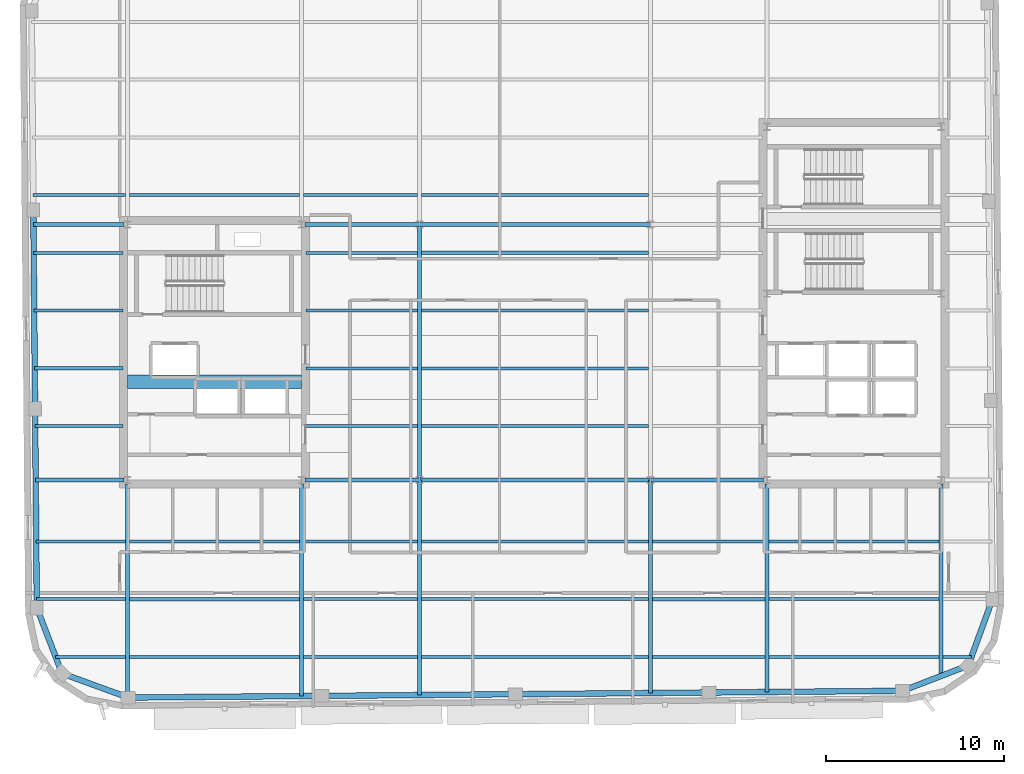
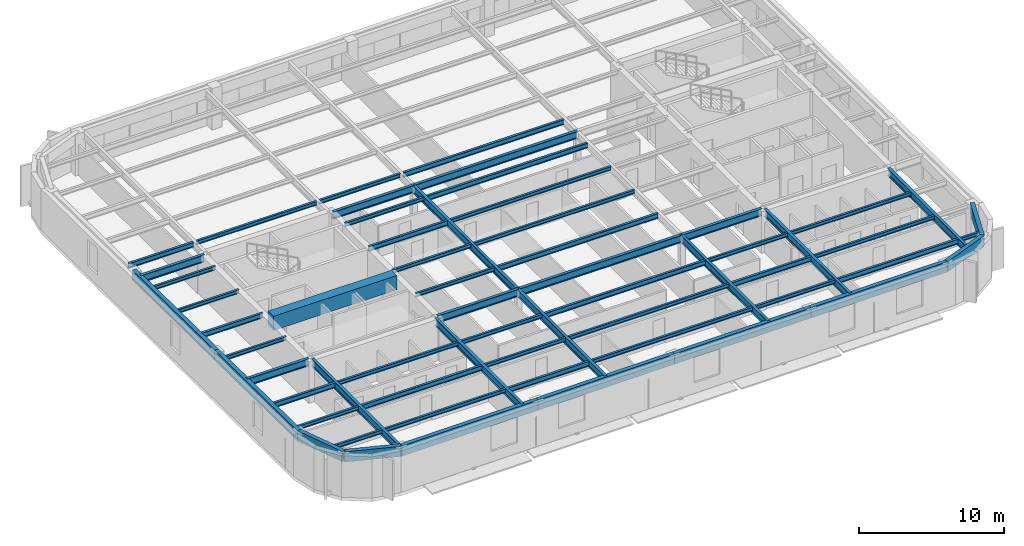
# One storey, part 4 of 15: 60 beams.
"""IFC4 building model written with IfcOpenShell, lengths in metres."""

import ifcopenshell
import ifcopenshell.guid

model = None  # the IFC model being written
_history = None  # IfcOwnerHistory: only IFC2X3 demands one
_inside = {}  # id of a spatial element -> (the spatial element, [elements in it])
_under = {}  # id of a project, library or spatial element -> (it, [spatial elements below it])
_declared = {}  # id of a project -> (the project, [libraries it declares])
_typed = {}  # id of a type object -> (the type object, [elements of that type])
_made_of = {}  # id of a material, layer set ... -> (it, [elements and type objects made of it])


def new_model(schema):
    """Start an empty IFC model of exactly this schema.

    Asked for "IFC4X3", IfcOpenShell would pick the latest addendum, in which some entities
    have other attributes; the version numbers below select the first issue.
    IFC2X3 requires an IfcOwnerHistory on every rooted entity: one is made here for all.
    """
    global model, _history
    if schema == "IFC4X3":
        model = ifcopenshell.file(schema_version=(4, 3, 0, 0))
    else:
        model = ifcopenshell.file(schema=schema)
    _inside.clear()
    _under.clear()
    _declared.clear()
    _typed.clear()
    _made_of.clear()
    _history = None
    if model.schema == "IFC2X3":
        org = make("IfcOrganization", Name="unknown")
        user = make(
            "IfcPersonAndOrganization",
            ThePerson=make("IfcPerson", FamilyName="unknown"),
            TheOrganization=org,
        )
        app = make(
            "IfcApplication",
            ApplicationDeveloper=org,
            Version="unknown",
            ApplicationFullName="unknown",
            ApplicationIdentifier="unknown",
        )
        _history = make(
            "IfcOwnerHistory",
            OwningUser=user,
            OwningApplication=app,
            ChangeAction="ADDED",
            CreationDate=0,
        )
    return model


def make(cls, **values):
    """One entity of the class cls with the attributes given. An attribute that is None is left unset."""
    return model.create_entity(
        cls, **{name: value for name, value in values.items() if value is not None}
    )


def rooted(cls, **values):
    """An entity with a GlobalId (a new one), such as an element, a storey or a relation."""
    return make(cls, GlobalId=ifcopenshell.guid.new(), OwnerHistory=_history, **values)


def si_unit(unit_type, name, prefix=None):
    """IfcSIUnit, for example si_unit("LENGTHUNIT", "METRE", prefix="MILLI")."""
    return make("IfcSIUnit", UnitType=unit_type, Prefix=prefix, Name=name)


def assignment(units):
    """IfcUnitAssignment: the units of a project."""
    return None if units is None else make("IfcUnitAssignment", Units=units)


def point(xyz):
    """IfcCartesianPoint."""
    return None if xyz is None else make("IfcCartesianPoint", Coordinates=xyz)


def direction(xyz):
    """IfcDirection."""
    return None if xyz is None else make("IfcDirection", DirectionRatios=xyz)


def frame(location, z_axis=None, x_axis=None):
    """IfcAxis2Placement3D, a coordinate frame: its origin and axes. An axis left out is left unset."""
    return make(
        "IfcAxis2Placement3D",
        Location=point(location),
        Axis=direction(z_axis),
        RefDirection=direction(x_axis),
    )


def frame_2d(location, x_axis=None):
    """IfcAxis2Placement2D, a coordinate frame in the plane: its origin and x axis."""
    return make(
        "IfcAxis2Placement2D", Location=point(location), RefDirection=direction(x_axis)
    )


def origin():
    """The frame at (0, 0, 0) with its axes left unset."""
    return frame((0.0, 0.0, 0.0))


def origin_2d():
    """The frame at (0, 0) in the plane with its x axis left unset."""
    return frame_2d((0.0, 0.0))


def place(relative_to, where):
    """IfcLocalPlacement: puts the frame where relative to a parent placement (None: the world)."""
    return make(
        "IfcLocalPlacement", PlacementRelTo=relative_to, RelativePlacement=where
    )


def context(
    kind, dimensions, precision=None, world=None, true_north=None, identifier=None
):
    """IfcGeometricRepresentationContext, for example the 3D "Model" context."""
    return make(
        "IfcGeometricRepresentationContext",
        ContextIdentifier=identifier,
        ContextType=kind,
        CoordinateSpaceDimension=dimensions,
        Precision=precision,
        WorldCoordinateSystem=world,
        TrueNorth=true_north,
    )


def subcontext(parent, identifier, kind, view, scale=None):
    """IfcGeometricRepresentationSubContext, for example "Body" below "Model"."""
    return make(
        "IfcGeometricRepresentationSubContext",
        ContextIdentifier=identifier,
        ContextType=kind,
        ParentContext=parent,
        TargetScale=scale,
        TargetView=view,
    )


def project(units=None, contexts=None):
    """IfcProject with its units and contexts."""
    return rooted(
        "IfcProject",
        Name="project",
        RepresentationContexts=contexts,
        UnitsInContext=assignment(units),
    )


def spatial(cls, under=None, at=None, **own):
    """A site, building, storey or space (cls), placed at a placement, below another one or the project."""
    s = rooted(cls, ObjectPlacement=at, **own)
    if under is not None:
        _under.setdefault(under.id(), (under, []))[1].append(s)
    return s


def profile(cls, at=None, kind="AREA", **sizes):
    """A parametric profile (cls). Its sizes go by their IFC names, for example OverallWidth=200.0."""
    return make(cls, ProfileType=kind, Position=at, **sizes)


def rectangle(**sizes):
    """IfcRectangleProfileDef."""
    return profile("IfcRectangleProfileDef", **sizes)


def hollow_rectangle(**sizes):
    """IfcRectangleHollowProfileDef."""
    return profile("IfcRectangleHollowProfileDef", **sizes)


def i_section(**sizes):
    """IfcIShapeProfileDef."""
    return profile("IfcIShapeProfileDef", **sizes)


def extrude(swept, where, along, depth):
    """IfcExtrudedAreaSolid: the profile swept, set in the frame where, extruded along a direction by depth."""
    return make(
        "IfcExtrudedAreaSolid",
        SweptArea=swept,
        Position=where,
        ExtrudedDirection=direction(along),
        Depth=depth,
    )


def shape(context_of_items, identifier, shape_type, items):
    """IfcShapeRepresentation: the items that make up one representation, for example the "Body"."""
    return make(
        "IfcShapeRepresentation",
        ContextOfItems=context_of_items,
        RepresentationIdentifier=identifier,
        RepresentationType=shape_type,
        Items=items,
    )


def material(Name=None, Category=None):
    """IfcMaterial."""
    return make("IfcMaterial", Name=Name, Category=Category)


def material_profile(
    of_material, cross_section, Name=None, Category=None, Priority=None
):
    """IfcMaterialProfile: a cross section and its material."""
    return make(
        "IfcMaterialProfile",
        Name=Name,
        Material=of_material,
        Profile=cross_section,
        Priority=Priority,
        Category=Category,
    )


def profile_set(profiles, Name=None, composite=None):
    """IfcMaterialProfileSet."""
    return make(
        "IfcMaterialProfileSet",
        Name=Name,
        MaterialProfiles=profiles,
        CompositeProfile=composite,
    )


def made_of(thing, what):
    """Note that an element or type object is made of a material, layer set ...; save() writes the relation."""
    if what is not None:
        _made_of.setdefault(what.id(), (what, []))[1].append(thing)
    return thing


def type_object(cls, material=None, **own):
    """A type object (cls), such as IfcWallType, which elements share."""
    return made_of(rooted(cls, **own), material)


def element(
    cls,
    number,
    at=None,
    inside=None,
    cuts=None,
    type_object=None,
    material=None,
    context=None,
    identifier="Body",
    shape_type=None,
    held_by="IfcProductDefinitionShape",
    body=None,
    shapes=None,
    **own,
):
    """One element of the class cls, such as IfcWall. Its Tag is "e" and its number.

    at: its placement. inside: the storey or other place that contains it. cuts: it is an
    opening in that element (IfcRelVoidsElement). A single representation is given by context,
    identifier, shape_type and body (its items); several are given by shapes. held_by: the class
    of the entity that holds the representations. save() writes the other relations.
    """
    e = rooted(cls, Tag="e%d" % number, ObjectPlacement=at, **own)
    if body is not None:
        shapes = [shape(context, identifier, shape_type, body)]
    if shapes is not None:
        e.Representation = make(held_by, Representations=shapes)
    if inside is not None:
        _inside.setdefault(inside.id(), (inside, []))[1].append(e)
    if cuts is not None:
        rooted(
            "IfcRelVoidsElement", RelatingBuildingElement=cuts, RelatedOpeningElement=e
        )
    if type_object is not None:
        _typed.setdefault(type_object.id(), (type_object, []))[1].append(e)
    return made_of(e, material)


def aggregate(whole, parts):
    """IfcRelAggregates: a whole, such as a stair, and the parts it consists of."""
    return rooted("IfcRelAggregates", RelatingObject=whole, RelatedObjects=parts)


def save(model, path):
    """Write the relations noted so far, then the file.

    IfcRelAggregates (storeys below a building ...), IfcRelContainedInSpatialStructure (elements
    in a storey), IfcRelDefinesByType, IfcRelAssociatesMaterial and IfcRelDeclares: one each for
    every whole, place, type object, material and project.
    """
    for whole, parts in _under.values():
        aggregate(whole, parts)
    for where, things in _inside.values():
        rooted(
            "IfcRelContainedInSpatialStructure",
            RelatedElements=things,
            RelatingStructure=where,
        )
    for kind, things in _typed.values():
        rooted("IfcRelDefinesByType", RelatedObjects=things, RelatingType=kind)
    for what, things in _made_of.values():
        rooted("IfcRelAssociatesMaterial", RelatedObjects=things, RelatingMaterial=what)
    for by, libraries in _declared.values():
        rooted("IfcRelDeclares", RelatingContext=by, RelatedDefinitions=libraries)
    model.write(path)


model = new_model("IFC4")

# Units and contexts
model_context = context("Model", 3, precision=1e-05, world=origin(), true_north=direction((0.0, 1.0)))
body_context = subcontext(model_context, "Body", "Model", "MODEL_VIEW")
ifc_project = project(units=[si_unit("LENGTHUNIT", "METRE"), si_unit("AREAUNIT", "SQUARE_METRE"), si_unit("VOLUMEUNIT", "CUBIC_METRE"), si_unit("PLANEANGLEUNIT", "RADIAN"), si_unit("MASSUNIT", "GRAM", prefix="KILO")], contexts=[model_context])

# Site, building, storey
site_placement = place(None, origin())
site = spatial("IfcSite", under=ifc_project, at=site_placement, CompositionType="ELEMENT")
building_placement = place(site_placement, origin())
building = spatial("IfcBuilding", under=site, at=building_placement, Name="Kolvaren Arena Tower", CompositionType="ELEMENT")
storey_placement = place(building_placement, frame((0.0, 0.0, 282.39990234375)))
storey = spatial("IfcBuildingStorey", under=building, at=storey_placement, Name="L69", CompositionType="ELEMENT", Elevation=282.39990234375)

# Beams
ifc_material_1 = material(Name="Steel CSA G40.21 350W", Category="steel")
ifc_material_profile_1 = material_profile(ifc_material_1, i_section(OverallWidth=0.180908203125, OverallDepth=0.4169921875, WebThickness=0.010986328125, FlangeThickness=0.018310546875, FilletRadius=0.011962890625, at=origin_2d()), Name="W410x85")
ifc_profile_set_1 = profile_set([ifc_material_profile_1], Name="Steel CSA G40.21 350W")
beam_type_1 = type_object("IfcBeamType", Name="BEAM-F3", PredefinedType="BEAM", material=ifc_profile_set_1)
beam_1_placement = place(storey_placement, frame((24.464111328125, 9.5, 3.271484375), z_axis=(1.0, 0.0, 0.0), x_axis=(0.0, 1.0, 0.0)))
element("IfcBeam", 1, at=beam_1_placement, inside=storey, type_object=beam_type_1, Name="Composite Floor Beam (L69)", PredefinedType="BEAM", context=body_context, shape_type="SweptSolid", body=[
    extrude(i_section(OverallWidth=0.180908203125, OverallDepth=0.4169921875, WebThickness=0.010986328125, FlangeThickness=0.018310546875, FilletRadius=0.011962890625, at=origin_2d()), origin(), (0.0, 0.0, 1.0), 6.421875),
])
for number, where, z_axis, x_axis, name in (
    (2, (50.6640625, 9.5, 3.271484375), (1.0, 0.0, 0.0), (0.0, 1.0, 0.0), "Composite Floor Beam (L69)"),
    (3, (14.6640625, 12.75, 3.271484375), (1.0, 0.0, 0.0), (0.0, 1.0, 0.0), "Composite Floor Beam (L69)"),
):
    element("IfcBeam", number, at=place(storey_placement, frame(where, z_axis=z_axis, x_axis=x_axis)), inside=storey, type_object=beam_type_1, Name=name, PredefinedType="BEAM", context=body_context, shape_type="SweptSolid", body=[
        extrude(i_section(OverallWidth=0.180908203125, OverallDepth=0.4169921875, WebThickness=0.010986328125, FlangeThickness=0.018310546875, FilletRadius=0.011962890625, at=origin_2d()), origin(), (0.0, 0.0, 1.0), 9.572021484375),
    ])
beam_2_placement = place(storey_placement, frame((44.114013671875, 12.75, 3.271484375), z_axis=(1.0, 0.0, 0.0), x_axis=(0.0, 1.0, 0.0)))
element("IfcBeam", 4, at=beam_2_placement, inside=storey, type_object=beam_type_1, Name="Composite Floor Beam (L69)", PredefinedType="BEAM", context=body_context, shape_type="SweptSolid", body=[
    extrude(i_section(OverallWidth=0.180908203125, OverallDepth=0.4169921875, WebThickness=0.010986328125, FlangeThickness=0.018310546875, FilletRadius=0.011962890625, at=origin_2d()), origin(), (0.0, 0.0, 1.0), 6.322021484375),
])
beam_3_placement = place(storey_placement, frame((9.4150390625, 16.0, 3.271484375), z_axis=(1.0, 0.0, 0.0), x_axis=(0.0, 1.0, 0.0)))
element("IfcBeam", 5, at=beam_3_placement, inside=storey, type_object=beam_type_1, Name="Composite Floor Beam (L69)", PredefinedType="BEAM", context=body_context, shape_type="SweptSolid", body=[
    extrude(i_section(OverallWidth=0.180908203125, OverallDepth=0.4169921875, WebThickness=0.010986328125, FlangeThickness=0.018310546875, FilletRadius=0.011962890625, at=origin_2d()), origin(), (0.0, 0.0, 1.0), 5.02099609375),
])
for number, where, z_axis, x_axis, name in (
    (6, (31.114013671875, 16.0, 3.271484375), (1.0, 0.0, 0.0), (0.0, 1.0, 0.0), "Composite Floor Beam (L69)"),
    (7, (31.114013671875, 22.5, 3.271484375), (1.0, 0.0, 0.0), (0.0, 1.0, 0.0), "Composite Floor Beam (L69)"),
):
    element("IfcBeam", number, at=place(storey_placement, frame(where, z_axis=z_axis, x_axis=x_axis)), inside=storey, type_object=beam_type_1, Name=name, PredefinedType="BEAM", context=body_context, shape_type="SweptSolid", body=[
        extrude(i_section(OverallWidth=0.180908203125, OverallDepth=0.4169921875, WebThickness=0.010986328125, FlangeThickness=0.018310546875, FilletRadius=0.011962890625, at=origin_2d()), origin(), (0.0, 0.0, 1.0), 12.77197265625),
    ])
beam_4_placement = place(storey_placement, frame((9.330078125, 25.75, 3.271484375), z_axis=(1.0, 0.0, 0.0), x_axis=(0.0, 1.0, 0.0)))
element("IfcBeam", 8, at=beam_4_placement, inside=storey, type_object=beam_type_1, Name="Composite Floor Beam (L69)", PredefinedType="BEAM", context=body_context, shape_type="SweptSolid", body=[
    extrude(i_section(OverallWidth=0.180908203125, OverallDepth=0.4169921875, WebThickness=0.010986328125, FlangeThickness=0.018310546875, FilletRadius=0.011962890625, at=origin_2d()), origin(), (0.0, 0.0, 1.0), 4.974853515625),
])
beam_5_placement = place(storey_placement, frame((24.594970703125, 29.0, 3.271484375), z_axis=(1.0, 0.0, 0.0), x_axis=(0.0, 1.0, 0.0)))
element("IfcBeam", 9, at=beam_5_placement, inside=storey, type_object=beam_type_1, Name="Composite Floor Beam (L69)", PredefinedType="BEAM", context=body_context, shape_type="SweptSolid", body=[
    extrude(i_section(OverallWidth=0.180908203125, OverallDepth=0.4169921875, WebThickness=0.010986328125, FlangeThickness=0.018310546875, FilletRadius=0.011962890625, at=origin_2d()), origin(), (0.0, 0.0, 1.0), 6.291015625),
])
beam_6_placement = place(storey_placement, frame((31.114013671875, 32.25, 3.271484375), z_axis=(1.0, 0.0, 0.0), x_axis=(0.0, 1.0, 0.0)))
element("IfcBeam", 10, at=beam_6_placement, inside=storey, type_object=beam_type_1, Name="Composite Floor Beam (L69)", PredefinedType="BEAM", context=body_context, shape_type="SweptSolid", body=[
    extrude(i_section(OverallWidth=0.180908203125, OverallDepth=0.4169921875, WebThickness=0.010986328125, FlangeThickness=0.018310546875, FilletRadius=0.011962890625, at=origin_2d()), origin(), (0.0, 0.0, 1.0), 12.77197265625),
])
beam_7_placement = place(storey_placement, frame((9.244873046875, 35.5, 3.271484375), z_axis=(1.0, 0.0, 0.0), x_axis=(0.0, 1.0, 0.0)))
element("IfcBeam", 11, at=beam_7_placement, inside=storey, type_object=beam_type_1, Name="Composite Floor Beam (L69)", PredefinedType="BEAM", context=body_context, shape_type="SweptSolid", body=[
    extrude(i_section(OverallWidth=0.180908203125, OverallDepth=0.4169921875, WebThickness=0.010986328125, FlangeThickness=0.018310546875, FilletRadius=0.011962890625, at=origin_2d()), origin(), (0.0, 0.0, 1.0), 5.191162109375),
])
beam_8_placement = place(storey_placement, frame((31.114013671875, 35.5, 3.271484375), z_axis=(1.0, 0.0, 0.0), x_axis=(0.0, 1.0, 0.0)))
element("IfcBeam", 12, at=beam_8_placement, inside=storey, type_object=beam_type_1, Name="Composite Floor Beam (L69)", PredefinedType="BEAM", context=body_context, shape_type="SweptSolid", body=[
    extrude(i_section(OverallWidth=0.180908203125, OverallDepth=0.4169921875, WebThickness=0.010986328125, FlangeThickness=0.018310546875, FilletRadius=0.011962890625, at=origin_2d()), origin(), (0.0, 0.0, 1.0), 12.77197265625),
])
ifc_material_2 = material(Name="Concrete 60 MPa", Category="concrete")
ifc_material_profile_2 = material_profile(ifc_material_2, rectangle(XDim=0.75, YDim=1.199951171875, at=origin_2d()), Name="RC-750x1200")
ifc_profile_set_2 = profile_set([ifc_material_profile_2], Name="Concrete 60 MPa")
beam_type_2 = type_object("IfcBeamType", Name="CB-CORE-2", PredefinedType="BEAM", material=ifc_profile_set_2)
beam_9_placement = place(storey_placement, frame((14.550048828125, 25.0, 3.150146484375), z_axis=(1.0, 0.0, 0.0), x_axis=(0.0, 1.0, 0.0)))
element("IfcBeam", 13, at=beam_9_placement, inside=storey, type_object=beam_type_2, Name="West Core Coupling Beam (L69)", PredefinedType="BEAM", context=body_context, shape_type="SweptSolid", body=[
    extrude(rectangle(XDim=0.75, YDim=1.199951171875, at=origin_2d()), origin(), (0.0, 0.0, 1.0), 9.800048828125),
])
ifc_material_profile_3 = material_profile(ifc_material_1, i_section(OverallWidth=0.22802734375, OverallDepth=0.615966796875, WebThickness=0.013916015625, FlangeThickness=0.02490234375, FilletRadius=0.014892578125, at=origin_2d()), Name="W610x174")
ifc_profile_set_3 = profile_set([ifc_material_profile_3], Name="Steel CSA G40.21 350W")
beam_type_3 = type_object("IfcBeamType", Name="GIRD-T3", PredefinedType="BEAM", material=ifc_profile_set_3)
beam_10_placement = place(storey_placement, frame((9.385009765625, 19.449951171875, 3.172119140625), z_axis=(1.0, 0.0, 0.0), x_axis=(0.0, 1.0, 0.0)))
element("IfcBeam", 14, at=beam_10_placement, inside=storey, type_object=beam_type_3, Name="Primary Floor Girder (L69)", PredefinedType="BEAM", context=body_context, shape_type="SweptSolid", body=[
    extrude(i_section(OverallWidth=0.22802734375, OverallDepth=0.615966796875, WebThickness=0.013916015625, FlangeThickness=0.02490234375, FilletRadius=0.014892578125, at=origin_2d()), origin(), (0.0, 0.0, 1.0), 4.9599609375),
])
beam_11_placement = place(storey_placement, frame((24.554931640625, 19.449951171875, 3.172119140625), z_axis=(1.0, 0.0, 0.0), x_axis=(0.0, 1.0, 0.0)))
element("IfcBeam", 15, at=beam_11_placement, inside=storey, type_object=beam_type_3, Name="Primary Floor Girder (L69)", PredefinedType="BEAM", context=body_context, shape_type="SweptSolid", body=[
    extrude(i_section(OverallWidth=0.22802734375, OverallDepth=0.615966796875, WebThickness=0.013916015625, FlangeThickness=0.02490234375, FilletRadius=0.014892578125, at=origin_2d()), origin(), (0.0, 0.0, 1.0), 6.445068359375),
])
beam_12_placement = place(storey_placement, frame((31.0, 19.449951171875, 3.172119140625), z_axis=(1.0, 0.0, 0.0), x_axis=(0.0, 1.0, 0.0)))
element("IfcBeam", 16, at=beam_12_placement, inside=storey, type_object=beam_type_3, Name="Primary Floor Girder (L69)", PredefinedType="BEAM", context=body_context, shape_type="SweptSolid", body=[
    extrude(i_section(OverallWidth=0.22802734375, OverallDepth=0.615966796875, WebThickness=0.013916015625, FlangeThickness=0.02490234375, FilletRadius=0.014892578125, at=origin_2d()), origin(), (0.0, 0.0, 1.0), 13.0),
])
beam_13_placement = place(storey_placement, frame((44.0, 19.449951171875, 3.172119140625), z_axis=(1.0, 0.0, 0.0), x_axis=(0.0, 1.0, 0.0)))
element("IfcBeam", 17, at=beam_13_placement, inside=storey, type_object=beam_type_3, Name="Primary Floor Girder (L69)", PredefinedType="BEAM", context=body_context, shape_type="SweptSolid", body=[
    extrude(i_section(OverallWidth=0.22802734375, OverallDepth=0.615966796875, WebThickness=0.013916015625, FlangeThickness=0.02490234375, FilletRadius=0.014892578125, at=origin_2d()), origin(), (0.0, 0.0, 1.0), 6.344970703125),
])
beam_14_placement = place(storey_placement, frame((9.25927734375, 33.85009765625, 3.172119140625), z_axis=(1.0, 0.0, 0.0), x_axis=(0.0, 1.0, 0.0)))
element("IfcBeam", 18, at=beam_14_placement, inside=storey, type_object=beam_type_3, Name="Primary Floor Girder (L69)", PredefinedType="BEAM", context=body_context, shape_type="SweptSolid", body=[
    extrude(i_section(OverallWidth=0.22802734375, OverallDepth=0.615966796875, WebThickness=0.013916015625, FlangeThickness=0.02490234375, FilletRadius=0.014892578125, at=origin_2d()), origin(), (0.0, 0.0, 1.0), 5.085693359375),
])
beam_15_placement = place(storey_placement, frame((24.554931640625, 33.85009765625, 3.172119140625), z_axis=(1.0, 0.0, 0.0), x_axis=(0.0, 1.0, 0.0)))
element("IfcBeam", 19, at=beam_15_placement, inside=storey, type_object=beam_type_3, Name="Primary Floor Girder (L69)", PredefinedType="BEAM", context=body_context, shape_type="SweptSolid", body=[
    extrude(i_section(OverallWidth=0.22802734375, OverallDepth=0.615966796875, WebThickness=0.013916015625, FlangeThickness=0.02490234375, FilletRadius=0.014892578125, at=origin_2d()), origin(), (0.0, 0.0, 1.0), 6.445068359375),
])
beam_16_placement = place(storey_placement, frame((31.0, 33.85009765625, 3.172119140625), z_axis=(1.0, 0.0, 0.0), x_axis=(0.0, 1.0, 0.0)))
element("IfcBeam", 20, at=beam_16_placement, inside=storey, type_object=beam_type_3, Name="Primary Floor Girder (L69)", PredefinedType="BEAM", context=body_context, shape_type="SweptSolid", body=[
    extrude(i_section(OverallWidth=0.22802734375, OverallDepth=0.615966796875, WebThickness=0.013916015625, FlangeThickness=0.02490234375, FilletRadius=0.014892578125, at=origin_2d()), origin(), (0.0, 0.0, 1.0), 13.0),
])
beam_17_placement = place(storey_placement, frame((14.550048828125, 7.225830078125, 3.172119140625), z_axis=(0.0, 1.0, 0.0), x_axis=(-1.0, 0.0, 0.0)))
element("IfcBeam", 21, at=beam_17_placement, inside=storey, type_object=beam_type_3, Name="Primary Floor Girder (L69)", PredefinedType="BEAM", context=body_context, shape_type="SweptSolid", body=[
    extrude(i_section(OverallWidth=0.22802734375, OverallDepth=0.615966796875, WebThickness=0.013916015625, FlangeThickness=0.02490234375, FilletRadius=0.014892578125, at=origin_2d()), origin(), (0.0, 0.0, 1.0), 12.019287109375),
])
beam_18_placement = place(storey_placement, frame((24.35009765625, 7.295654296875, 3.172119140625), z_axis=(0.0, 1.0, 0.0), x_axis=(-1.0, 0.0, 0.0)))
element("IfcBeam", 22, at=beam_18_placement, inside=storey, type_object=beam_type_3, Name="Primary Floor Girder (L69)", PredefinedType="BEAM", context=body_context, shape_type="SweptSolid", body=[
    extrude(i_section(OverallWidth=0.22802734375, OverallDepth=0.615966796875, WebThickness=0.013916015625, FlangeThickness=0.02490234375, FilletRadius=0.014892578125, at=origin_2d()), origin(), (0.0, 0.0, 1.0), 11.949462890625),
])
beam_19_placement = place(storey_placement, frame((31.0, 7.353759765625, 3.172119140625), z_axis=(0.0, 1.0, 0.0), x_axis=(-1.0, 0.0, 0.0)))
element("IfcBeam", 23, at=beam_19_placement, inside=storey, type_object=beam_type_3, Name="Primary Floor Girder (L69)", PredefinedType="BEAM", context=body_context, shape_type="SweptSolid", body=[
    extrude(i_section(OverallWidth=0.22802734375, OverallDepth=0.615966796875, WebThickness=0.013916015625, FlangeThickness=0.02490234375, FilletRadius=0.014892578125, at=origin_2d()), origin(), (0.0, 0.0, 1.0), 12.09619140625),
])
beam_20_placement = place(storey_placement, frame((31.0, 19.449951171875, 3.172119140625), z_axis=(0.0, 1.0, 0.0), x_axis=(-1.0, 0.0, 0.0)))
element("IfcBeam", 24, at=beam_20_placement, inside=storey, type_object=beam_type_3, Name="Primary Floor Girder (L69)", PredefinedType="BEAM", context=body_context, shape_type="SweptSolid", body=[
    extrude(i_section(OverallWidth=0.22802734375, OverallDepth=0.615966796875, WebThickness=0.013916015625, FlangeThickness=0.02490234375, FilletRadius=0.014892578125, at=origin_2d()), origin(), (0.0, 0.0, 1.0), 14.400146484375),
])
beam_21_placement = place(storey_placement, frame((44.0, 7.46728515625, 3.172119140625), z_axis=(0.0, 1.0, 0.0), x_axis=(-1.0, 0.0, 0.0)))
element("IfcBeam", 25, at=beam_21_placement, inside=storey, type_object=beam_type_3, Name="Primary Floor Girder (L69)", PredefinedType="BEAM", context=body_context, shape_type="SweptSolid", body=[
    extrude(i_section(OverallWidth=0.22802734375, OverallDepth=0.615966796875, WebThickness=0.013916015625, FlangeThickness=0.02490234375, FilletRadius=0.014892578125, at=origin_2d()), origin(), (0.0, 0.0, 1.0), 11.982666015625),
])
beam_22_placement = place(storey_placement, frame((50.550048828125, 7.5244140625, 3.172119140625), z_axis=(0.0, 1.0, 0.0), x_axis=(-1.0, 0.0, 0.0)))
element("IfcBeam", 26, at=beam_22_placement, inside=storey, type_object=beam_type_3, Name="Primary Floor Girder (L69)", PredefinedType="BEAM", context=body_context, shape_type="SweptSolid", body=[
    extrude(i_section(OverallWidth=0.22802734375, OverallDepth=0.615966796875, WebThickness=0.013916015625, FlangeThickness=0.02490234375, FilletRadius=0.014892578125, at=origin_2d()), origin(), (0.0, 0.0, 1.0), 11.720703125),
])
beam_23_placement = place(storey_placement, frame((60.35009765625, 8.4228515625, 3.172119140625), z_axis=(0.0, 1.0, 0.0), x_axis=(-1.0, 0.0, 0.0)))
element("IfcBeam", 27, at=beam_23_placement, inside=storey, type_object=beam_type_3, Name="Primary Floor Girder (L69)", PredefinedType="BEAM", context=body_context, shape_type="SweptSolid", body=[
    extrude(i_section(OverallWidth=0.22802734375, OverallDepth=0.615966796875, WebThickness=0.013916015625, FlangeThickness=0.02490234375, FilletRadius=0.014892578125, at=origin_2d()), origin(), (0.0, 0.0, 1.0), 10.822265625),
])
ifc_material_profile_4 = material_profile(ifc_material_1, i_section(OverallWidth=0.1669921875, OverallDepth=0.31689453125, WebThickness=0.007568359375, FlangeThickness=0.01318359375, FilletRadius=0.010009765625, at=origin_2d()), Name="W310x52")
ifc_profile_set_4 = profile_set([ifc_material_profile_4], Name="Steel CSA G40.21 350W")
beam_type_4 = type_object("IfcBeamType", Name="JOIST-02", PredefinedType="JOIST", material=ifc_profile_set_4)
beam_24_placement = place(storey_placement, frame((10.5126953125, 9.5, 3.321533203125), z_axis=(1.0, 0.0, 0.0), x_axis=(0.0, 1.0, 0.0)))
element("IfcBeam", 28, at=beam_24_placement, inside=storey, type_object=beam_type_4, Name="Composite Floor Joist (L69)", PredefinedType="JOIST", context=body_context, shape_type="SweptSolid", body=[
    extrude(i_section(OverallWidth=0.1669921875, OverallDepth=0.31689453125, WebThickness=0.007568359375, FlangeThickness=0.01318359375, FilletRadius=0.010009765625, at=origin_2d()), origin(), (0.0, 0.0, 1.0), 3.92333984375),
])
beam_25_placement = place(storey_placement, frame((14.6640625, 9.5, 3.321533203125), z_axis=(1.0, 0.0, 0.0), x_axis=(0.0, 1.0, 0.0)))
element("IfcBeam", 29, at=beam_25_placement, inside=storey, type_object=beam_type_4, Name="Composite Floor Joist (L69)", PredefinedType="JOIST", context=body_context, shape_type="SweptSolid", body=[
    extrude(i_section(OverallWidth=0.1669921875, OverallDepth=0.31689453125, WebThickness=0.007568359375, FlangeThickness=0.01318359375, FilletRadius=0.010009765625, at=origin_2d()), origin(), (0.0, 0.0, 1.0), 9.572021484375),
])
beam_26_placement = place(storey_placement, frame((31.114013671875, 9.5, 3.321533203125), z_axis=(1.0, 0.0, 0.0), x_axis=(0.0, 1.0, 0.0)))
element("IfcBeam", 30, at=beam_26_placement, inside=storey, type_object=beam_type_4, Name="Composite Floor Joist (L69)", PredefinedType="JOIST", context=body_context, shape_type="SweptSolid", body=[
    extrude(i_section(OverallWidth=0.1669921875, OverallDepth=0.31689453125, WebThickness=0.007568359375, FlangeThickness=0.01318359375, FilletRadius=0.010009765625, at=origin_2d()), origin(), (0.0, 0.0, 1.0), 12.77197265625),
])
beam_27_placement = place(storey_placement, frame((44.114013671875, 9.5, 3.321533203125), z_axis=(1.0, 0.0, 0.0), x_axis=(0.0, 1.0, 0.0)))
element("IfcBeam", 31, at=beam_27_placement, inside=storey, type_object=beam_type_4, Name="Composite Floor Joist (L69)", PredefinedType="JOIST", context=body_context, shape_type="SweptSolid", body=[
    extrude(i_section(OverallWidth=0.1669921875, OverallDepth=0.31689453125, WebThickness=0.007568359375, FlangeThickness=0.01318359375, FilletRadius=0.010009765625, at=origin_2d()), origin(), (0.0, 0.0, 1.0), 6.322021484375),
])
beam_28_placement = place(storey_placement, frame((60.464111328125, 9.5, 3.321533203125), z_axis=(1.0, 0.0, 0.0), x_axis=(0.0, 1.0, 0.0)))
element("IfcBeam", 32, at=beam_28_placement, inside=storey, type_object=beam_type_4, Name="Composite Floor Joist (L69)", PredefinedType="JOIST", context=body_context, shape_type="SweptSolid", body=[
    extrude(i_section(OverallWidth=0.1669921875, OverallDepth=0.31689453125, WebThickness=0.007568359375, FlangeThickness=0.01318359375, FilletRadius=0.010009765625, at=origin_2d()), origin(), (0.0, 0.0, 1.0), 1.60009765625),
])
beam_29_placement = place(storey_placement, frame((9.443359375, 12.75, 3.321533203125), z_axis=(1.0, 0.0, 0.0), x_axis=(0.0, 1.0, 0.0)))
element("IfcBeam", 33, at=beam_29_placement, inside=storey, type_object=beam_type_4, Name="Composite Floor Joist (L69)", PredefinedType="JOIST", context=body_context, shape_type="SweptSolid", body=[
    extrude(i_section(OverallWidth=0.1669921875, OverallDepth=0.31689453125, WebThickness=0.007568359375, FlangeThickness=0.01318359375, FilletRadius=0.010009765625, at=origin_2d()), origin(), (0.0, 0.0, 1.0), 4.99267578125),
])
beam_30_placement = place(storey_placement, frame((24.464111328125, 12.75, 3.321533203125), z_axis=(1.0, 0.0, 0.0), x_axis=(0.0, 1.0, 0.0)))
element("IfcBeam", 34, at=beam_30_placement, inside=storey, type_object=beam_type_4, Name="Composite Floor Joist (L69)", PredefinedType="JOIST", context=body_context, shape_type="SweptSolid", body=[
    extrude(i_section(OverallWidth=0.1669921875, OverallDepth=0.31689453125, WebThickness=0.007568359375, FlangeThickness=0.01318359375, FilletRadius=0.010009765625, at=origin_2d()), origin(), (0.0, 0.0, 1.0), 6.421875),
])
beam_31_placement = place(storey_placement, frame((31.114013671875, 12.75, 3.321533203125), z_axis=(1.0, 0.0, 0.0), x_axis=(0.0, 1.0, 0.0)))
element("IfcBeam", 35, at=beam_31_placement, inside=storey, type_object=beam_type_4, Name="Composite Floor Joist (L69)", PredefinedType="JOIST", context=body_context, shape_type="SweptSolid", body=[
    extrude(i_section(OverallWidth=0.1669921875, OverallDepth=0.31689453125, WebThickness=0.007568359375, FlangeThickness=0.01318359375, FilletRadius=0.010009765625, at=origin_2d()), origin(), (0.0, 0.0, 1.0), 12.77197265625),
])
for number, where, z_axis, x_axis, name in (
    (36, (50.6640625, 12.75, 3.321533203125), (1.0, 0.0, 0.0), (0.0, 1.0, 0.0), "Composite Floor Joist (L69)"),
    (37, (14.6640625, 16.0, 3.321533203125), (1.0, 0.0, 0.0), (0.0, 1.0, 0.0), "Composite Floor Joist (L69)"),
):
    element("IfcBeam", number, at=place(storey_placement, frame(where, z_axis=z_axis, x_axis=x_axis)), inside=storey, type_object=beam_type_4, Name=name, PredefinedType="JOIST", context=body_context, shape_type="SweptSolid", body=[
        extrude(i_section(OverallWidth=0.1669921875, OverallDepth=0.31689453125, WebThickness=0.007568359375, FlangeThickness=0.01318359375, FilletRadius=0.010009765625, at=origin_2d()), origin(), (0.0, 0.0, 1.0), 9.572021484375),
    ])
beam_32_placement = place(storey_placement, frame((24.464111328125, 16.0, 3.321533203125), z_axis=(1.0, 0.0, 0.0), x_axis=(0.0, 1.0, 0.0)))
element("IfcBeam", 38, at=beam_32_placement, inside=storey, type_object=beam_type_4, Name="Composite Floor Joist (L69)", PredefinedType="JOIST", context=body_context, shape_type="SweptSolid", body=[
    extrude(i_section(OverallWidth=0.1669921875, OverallDepth=0.31689453125, WebThickness=0.007568359375, FlangeThickness=0.01318359375, FilletRadius=0.010009765625, at=origin_2d()), origin(), (0.0, 0.0, 1.0), 6.421875),
])
beam_33_placement = place(storey_placement, frame((44.114013671875, 16.0, 3.321533203125), z_axis=(1.0, 0.0, 0.0), x_axis=(0.0, 1.0, 0.0)))
element("IfcBeam", 39, at=beam_33_placement, inside=storey, type_object=beam_type_4, Name="Composite Floor Joist (L69)", PredefinedType="JOIST", context=body_context, shape_type="SweptSolid", body=[
    extrude(i_section(OverallWidth=0.1669921875, OverallDepth=0.31689453125, WebThickness=0.007568359375, FlangeThickness=0.01318359375, FilletRadius=0.010009765625, at=origin_2d()), origin(), (0.0, 0.0, 1.0), 6.322021484375),
])
beam_34_placement = place(storey_placement, frame((50.6640625, 16.0, 3.321533203125), z_axis=(1.0, 0.0, 0.0), x_axis=(0.0, 1.0, 0.0)))
element("IfcBeam", 40, at=beam_34_placement, inside=storey, type_object=beam_type_4, Name="Composite Floor Joist (L69)", PredefinedType="JOIST", context=body_context, shape_type="SweptSolid", body=[
    extrude(i_section(OverallWidth=0.1669921875, OverallDepth=0.31689453125, WebThickness=0.007568359375, FlangeThickness=0.01318359375, FilletRadius=0.010009765625, at=origin_2d()), origin(), (0.0, 0.0, 1.0), 9.572021484375),
])
beam_35_placement = place(storey_placement, frame((9.3583984375, 22.5, 3.321533203125), z_axis=(1.0, 0.0, 0.0), x_axis=(0.0, 1.0, 0.0)))
element("IfcBeam", 41, at=beam_35_placement, inside=storey, type_object=beam_type_4, Name="Composite Floor Joist (L69)", PredefinedType="JOIST", context=body_context, shape_type="SweptSolid", body=[
    extrude(i_section(OverallWidth=0.1669921875, OverallDepth=0.31689453125, WebThickness=0.007568359375, FlangeThickness=0.01318359375, FilletRadius=0.010009765625, at=origin_2d()), origin(), (0.0, 0.0, 1.0), 4.946533203125),
])
for number, where, z_axis, x_axis, name in (
    (42, (24.594970703125, 22.5, 3.321533203125), (1.0, 0.0, 0.0), (0.0, 1.0, 0.0), "Composite Floor Joist (L69)"),
    (43, (24.594970703125, 25.75, 3.321533203125), (1.0, 0.0, 0.0), (0.0, 1.0, 0.0), "Composite Floor Joist (L69)"),
):
    element("IfcBeam", number, at=place(storey_placement, frame(where, z_axis=z_axis, x_axis=x_axis)), inside=storey, type_object=beam_type_4, Name=name, PredefinedType="JOIST", context=body_context, shape_type="SweptSolid", body=[
        extrude(i_section(OverallWidth=0.1669921875, OverallDepth=0.31689453125, WebThickness=0.007568359375, FlangeThickness=0.01318359375, FilletRadius=0.010009765625, at=origin_2d()), origin(), (0.0, 0.0, 1.0), 6.291015625),
    ])
beam_36_placement = place(storey_placement, frame((31.114013671875, 25.75, 3.321533203125), z_axis=(1.0, 0.0, 0.0), x_axis=(0.0, 1.0, 0.0)))
element("IfcBeam", 44, at=beam_36_placement, inside=storey, type_object=beam_type_4, Name="Composite Floor Joist (L69)", PredefinedType="JOIST", context=body_context, shape_type="SweptSolid", body=[
    extrude(i_section(OverallWidth=0.1669921875, OverallDepth=0.31689453125, WebThickness=0.007568359375, FlangeThickness=0.01318359375, FilletRadius=0.010009765625, at=origin_2d()), origin(), (0.0, 0.0, 1.0), 12.77197265625),
])
beam_37_placement = place(storey_placement, frame((9.301513671875, 29.0, 3.321533203125), z_axis=(1.0, 0.0, 0.0), x_axis=(0.0, 1.0, 0.0)))
element("IfcBeam", 45, at=beam_37_placement, inside=storey, type_object=beam_type_4, Name="Composite Floor Joist (L69)", PredefinedType="JOIST", context=body_context, shape_type="SweptSolid", body=[
    extrude(i_section(OverallWidth=0.1669921875, OverallDepth=0.31689453125, WebThickness=0.007568359375, FlangeThickness=0.01318359375, FilletRadius=0.010009765625, at=origin_2d()), origin(), (0.0, 0.0, 1.0), 5.00341796875),
])
beam_38_placement = place(storey_placement, frame((31.114013671875, 29.0, 3.321533203125), z_axis=(1.0, 0.0, 0.0), x_axis=(0.0, 1.0, 0.0)))
element("IfcBeam", 46, at=beam_38_placement, inside=storey, type_object=beam_type_4, Name="Composite Floor Joist (L69)", PredefinedType="JOIST", context=body_context, shape_type="SweptSolid", body=[
    extrude(i_section(OverallWidth=0.1669921875, OverallDepth=0.31689453125, WebThickness=0.007568359375, FlangeThickness=0.01318359375, FilletRadius=0.010009765625, at=origin_2d()), origin(), (0.0, 0.0, 1.0), 12.77197265625),
])
beam_39_placement = place(storey_placement, frame((9.273193359375, 32.25, 3.321533203125), z_axis=(1.0, 0.0, 0.0), x_axis=(0.0, 1.0, 0.0)))
element("IfcBeam", 47, at=beam_39_placement, inside=storey, type_object=beam_type_4, Name="Composite Floor Joist (L69)", PredefinedType="JOIST", context=body_context, shape_type="SweptSolid", body=[
    extrude(i_section(OverallWidth=0.1669921875, OverallDepth=0.31689453125, WebThickness=0.007568359375, FlangeThickness=0.01318359375, FilletRadius=0.010009765625, at=origin_2d()), origin(), (0.0, 0.0, 1.0), 5.03173828125),
])
beam_40_placement = place(storey_placement, frame((24.594970703125, 32.25, 3.321533203125), z_axis=(1.0, 0.0, 0.0), x_axis=(0.0, 1.0, 0.0)))
element("IfcBeam", 48, at=beam_40_placement, inside=storey, type_object=beam_type_4, Name="Composite Floor Joist (L69)", PredefinedType="JOIST", context=body_context, shape_type="SweptSolid", body=[
    extrude(i_section(OverallWidth=0.1669921875, OverallDepth=0.31689453125, WebThickness=0.007568359375, FlangeThickness=0.01318359375, FilletRadius=0.010009765625, at=origin_2d()), origin(), (0.0, 0.0, 1.0), 6.291015625),
])
beam_41_placement = place(storey_placement, frame((14.6640625, 35.5, 3.321533203125), z_axis=(1.0, 0.0, 0.0), x_axis=(0.0, 1.0, 0.0)))
element("IfcBeam", 49, at=beam_41_placement, inside=storey, type_object=beam_type_4, Name="Composite Floor Joist (L69)", PredefinedType="JOIST", context=body_context, shape_type="SweptSolid", body=[
    extrude(i_section(OverallWidth=0.1669921875, OverallDepth=0.31689453125, WebThickness=0.007568359375, FlangeThickness=0.01318359375, FilletRadius=0.010009765625, at=origin_2d()), origin(), (0.0, 0.0, 1.0), 9.572021484375),
])
beam_42_placement = place(storey_placement, frame((24.464111328125, 35.5, 3.321533203125), z_axis=(1.0, 0.0, 0.0), x_axis=(0.0, 1.0, 0.0)))
element("IfcBeam", 50, at=beam_42_placement, inside=storey, type_object=beam_type_4, Name="Composite Floor Joist (L69)", PredefinedType="JOIST", context=body_context, shape_type="SweptSolid", body=[
    extrude(i_section(OverallWidth=0.1669921875, OverallDepth=0.31689453125, WebThickness=0.007568359375, FlangeThickness=0.01318359375, FilletRadius=0.010009765625, at=origin_2d()), origin(), (0.0, 0.0, 1.0), 6.421875),
])
ifc_material_3 = material(Name="Steel CSA G40.21 350WT", Category="steel")
ifc_material_profile_5 = material_profile(ifc_material_3, hollow_rectangle(XDim=0.320068359375, YDim=0.860107421875, WallThickness=0.01806640625, at=origin_2d()), Name="HSS 860x320x18")
ifc_profile_set_5 = profile_set([ifc_material_profile_5], Name="Steel CSA G40.21 350WT")
beam_type_5 = type_object("IfcBeamType", Name="SPAND-02", PredefinedType="SPANDREL", material=ifc_profile_set_5)
for number, where, z_axis, x_axis, name in (
    (51, (14.591796875, 7.210693359375, 3.050048828125), (0.999962042393, 0.008712851036, 0.0), (-0.008712851036, 0.999962042393, 0.0), "Perimeter Spandrel Beam (L69)"),
    (52, (25.491455078125, 7.3056640625, 3.050048828125), (0.999961846999, 0.008735247404, 0.0), (-0.008735247404, 0.999961846999, 0.0), "Perimeter Spandrel Beam (L69)"),
    (53, (36.39111328125, 7.40087890625, 3.050048828125), (0.999961846999, 0.008735247404, 0.0), (-0.008735247404, 0.999961846999, 0.0), "Perimeter Spandrel Beam (L69)"),
):
    element("IfcBeam", number, at=place(storey_placement, frame(where, z_axis=z_axis, x_axis=x_axis)), inside=storey, type_object=beam_type_5, Name=name, PredefinedType="SPANDREL", context=body_context, shape_type="SweptSolid", body=[
        extrude(hollow_rectangle(XDim=0.320068359375, YDim=0.860107421875, WallThickness=0.01806640625, at=origin_2d()), origin(), (0.0, 0.0, 1.0), 10.900146484375),
    ])
beam_43_placement = place(storey_placement, frame((47.290771484375, 7.49609375, 3.050048828125), z_axis=(0.999962040693, 0.008713046184, 0.0), x_axis=(-0.008713046184, 0.999962040693, 0.0)))
element("IfcBeam", 54, at=beam_43_placement, inside=storey, type_object=beam_type_5, Name="Perimeter Spandrel Beam (L69)", PredefinedType="SPANDREL", context=body_context, shape_type="SweptSolid", body=[
    extrude(hollow_rectangle(XDim=0.320068359375, YDim=0.860107421875, WallThickness=0.01806640625, at=origin_2d()), origin(), (0.0, 0.0, 1.0), 10.89990234375),
])
for number, where, z_axis, x_axis, name in (
    (55, (58.190185546875, 7.591064453125, 3.050048828125), (0.933189846698, 0.359383792094, 0.0), (-0.359383792094, 0.933189846698, 0.0), "Perimeter Spandrel Beam (L69)"),
    (56, (61.88671875, 9.0146484375, 3.050048828125), (0.343059102458, 0.939313819882, 0.0), (-0.939313819882, 0.343059102458, 0.0), "Perimeter Spandrel Beam (L69)"),
):
    element("IfcBeam", number, at=place(storey_placement, frame(where, z_axis=z_axis, x_axis=x_axis)), inside=storey, type_object=beam_type_5, Name=name, PredefinedType="SPANDREL", context=body_context, shape_type="SweptSolid", body=[
        extrude(hollow_rectangle(XDim=0.320068359375, YDim=0.860107421875, WallThickness=0.01806640625, at=origin_2d()), origin(), (0.0, 0.0, 1.0), 3.961181640625),
    ])
beam_44_placement = place(storey_placement, frame((9.252197265625, 34.6650390625, 3.050048828125), z_axis=(0.008719394723, -0.999961985355, 0.0), x_axis=(0.999961985355, 0.008719394723, 0.0)))
element("IfcBeam", 57, at=beam_44_placement, inside=storey, type_object=beam_type_5, Name="Perimeter Spandrel Beam (L69)", PredefinedType="SPANDREL", context=body_context, shape_type="SweptSolid", body=[
    extrude(hollow_rectangle(XDim=0.320068359375, YDim=0.860107421875, WallThickness=0.01806640625, at=origin_2d()), origin(), (0.0, 0.0, 1.0), 11.199951171875),
])
beam_45_placement = place(storey_placement, frame((9.349853515625, 23.465576171875, 3.050048828125), z_axis=(0.008719204665, -0.999961987013, 0.0), x_axis=(0.999961987013, 0.008719204665, 0.0)))
element("IfcBeam", 58, at=beam_45_placement, inside=storey, type_object=beam_type_5, Name="Perimeter Spandrel Beam (L69)", PredefinedType="SPANDREL", context=body_context, shape_type="SweptSolid", body=[
    extrude(hollow_rectangle(XDim=0.320068359375, YDim=0.860107421875, WallThickness=0.01806640625, at=origin_2d()), origin(), (0.0, 0.0, 1.0), 11.2001953125),
])
beam_46_placement = place(storey_placement, frame((9.447509765625, 12.265869140625, 3.050048828125), z_axis=(0.359383792094, -0.933189846698, 0.0), x_axis=(0.933189846698, 0.359383792094, 0.0)))
element("IfcBeam", 59, at=beam_46_placement, inside=storey, type_object=beam_type_5, Name="Perimeter Spandrel Beam (L69)", PredefinedType="SPANDREL", context=body_context, shape_type="SweptSolid", body=[
    extrude(hollow_rectangle(XDim=0.320068359375, YDim=0.860107421875, WallThickness=0.01806640625, at=origin_2d()), origin(), (0.0, 0.0, 1.0), 3.961181640625),
])
beam_47_placement = place(storey_placement, frame((10.87109375, 8.5693359375, 3.050048828125), z_axis=(0.939333679924, -0.343004719736, 0.0), x_axis=(0.343004719736, 0.939333679924, 0.0)))
element("IfcBeam", 60, at=beam_47_placement, inside=storey, type_object=beam_type_5, Name="Perimeter Spandrel Beam (L69)", PredefinedType="SPANDREL", context=body_context, shape_type="SweptSolid", body=[
    extrude(hollow_rectangle(XDim=0.320068359375, YDim=0.860107421875, WallThickness=0.01806640625, at=origin_2d()), origin(), (0.0, 0.0, 1.0), 3.9609375),
])

save(model, "model.ifc")
